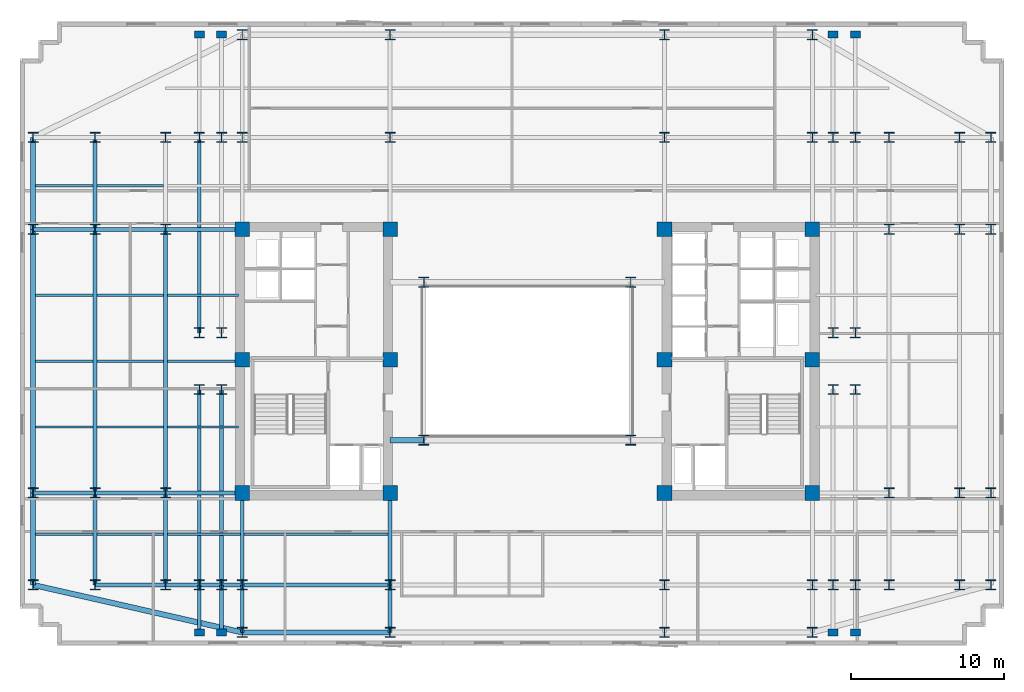
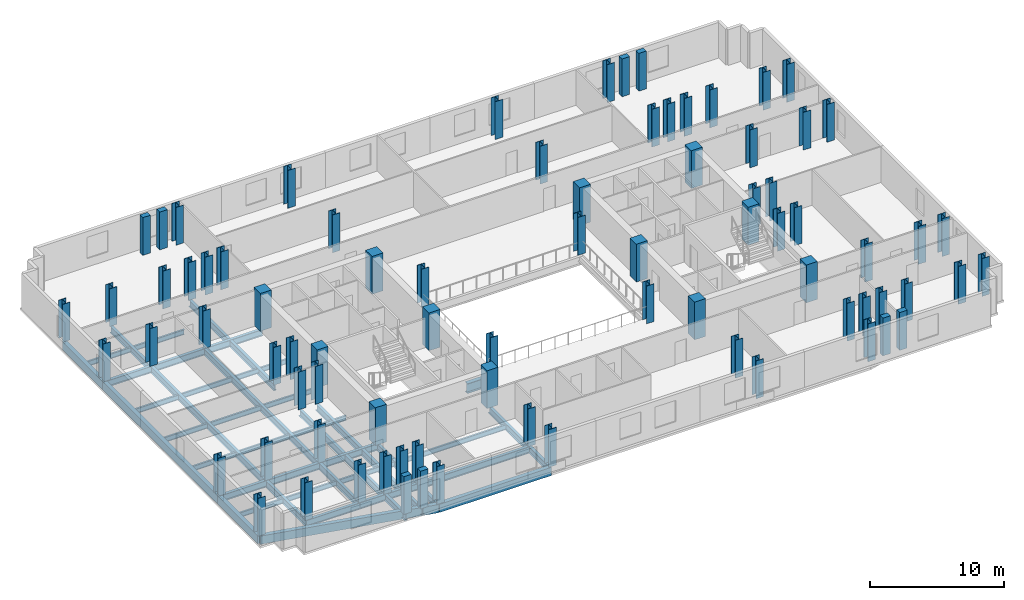
# One storey, part 1 of 10: 80 columns, 44 beams.
"""IFC4 building model written with IfcOpenShell, lengths in metres."""

import ifcopenshell
import ifcopenshell.guid

model = None  # the IFC model being written
_history = None  # IfcOwnerHistory: only IFC2X3 demands one
_inside = {}  # id of a spatial element -> (the spatial element, [elements in it])
_under = {}  # id of a project, library or spatial element -> (it, [spatial elements below it])
_declared = {}  # id of a project -> (the project, [libraries it declares])
_typed = {}  # id of a type object -> (the type object, [elements of that type])
_made_of = {}  # id of a material, layer set ... -> (it, [elements and type objects made of it])


def new_model(schema):
    """Start an empty IFC model of exactly this schema.

    Asked for "IFC4X3", IfcOpenShell would pick the latest addendum, in which some entities
    have other attributes; the version numbers below select the first issue.
    IFC2X3 requires an IfcOwnerHistory on every rooted entity: one is made here for all.
    """
    global model, _history
    if schema == "IFC4X3":
        model = ifcopenshell.file(schema_version=(4, 3, 0, 0))
    else:
        model = ifcopenshell.file(schema=schema)
    _inside.clear()
    _under.clear()
    _declared.clear()
    _typed.clear()
    _made_of.clear()
    _history = None
    if model.schema == "IFC2X3":
        org = make("IfcOrganization", Name="unknown")
        user = make(
            "IfcPersonAndOrganization",
            ThePerson=make("IfcPerson", FamilyName="unknown"),
            TheOrganization=org,
        )
        app = make(
            "IfcApplication",
            ApplicationDeveloper=org,
            Version="unknown",
            ApplicationFullName="unknown",
            ApplicationIdentifier="unknown",
        )
        _history = make(
            "IfcOwnerHistory",
            OwningUser=user,
            OwningApplication=app,
            ChangeAction="ADDED",
            CreationDate=0,
        )
    return model


def make(cls, **values):
    """One entity of the class cls with the attributes given. An attribute that is None is left unset."""
    return model.create_entity(
        cls, **{name: value for name, value in values.items() if value is not None}
    )


def rooted(cls, **values):
    """An entity with a GlobalId (a new one), such as an element, a storey or a relation."""
    return make(cls, GlobalId=ifcopenshell.guid.new(), OwnerHistory=_history, **values)


def si_unit(unit_type, name, prefix=None):
    """IfcSIUnit, for example si_unit("LENGTHUNIT", "METRE", prefix="MILLI")."""
    return make("IfcSIUnit", UnitType=unit_type, Prefix=prefix, Name=name)


def assignment(units):
    """IfcUnitAssignment: the units of a project."""
    return None if units is None else make("IfcUnitAssignment", Units=units)


def point(xyz):
    """IfcCartesianPoint."""
    return None if xyz is None else make("IfcCartesianPoint", Coordinates=xyz)


def direction(xyz):
    """IfcDirection."""
    return None if xyz is None else make("IfcDirection", DirectionRatios=xyz)


def frame(location, z_axis=None, x_axis=None):
    """IfcAxis2Placement3D, a coordinate frame: its origin and axes. An axis left out is left unset."""
    return make(
        "IfcAxis2Placement3D",
        Location=point(location),
        Axis=direction(z_axis),
        RefDirection=direction(x_axis),
    )


def frame_2d(location, x_axis=None):
    """IfcAxis2Placement2D, a coordinate frame in the plane: its origin and x axis."""
    return make(
        "IfcAxis2Placement2D", Location=point(location), RefDirection=direction(x_axis)
    )


def origin():
    """The frame at (0, 0, 0) with its axes left unset."""
    return frame((0.0, 0.0, 0.0))


def origin_2d():
    """The frame at (0, 0) in the plane with its x axis left unset."""
    return frame_2d((0.0, 0.0))


def place(relative_to, where):
    """IfcLocalPlacement: puts the frame where relative to a parent placement (None: the world)."""
    return make(
        "IfcLocalPlacement", PlacementRelTo=relative_to, RelativePlacement=where
    )


def context(
    kind, dimensions, precision=None, world=None, true_north=None, identifier=None
):
    """IfcGeometricRepresentationContext, for example the 3D "Model" context."""
    return make(
        "IfcGeometricRepresentationContext",
        ContextIdentifier=identifier,
        ContextType=kind,
        CoordinateSpaceDimension=dimensions,
        Precision=precision,
        WorldCoordinateSystem=world,
        TrueNorth=true_north,
    )


def subcontext(parent, identifier, kind, view, scale=None):
    """IfcGeometricRepresentationSubContext, for example "Body" below "Model"."""
    return make(
        "IfcGeometricRepresentationSubContext",
        ContextIdentifier=identifier,
        ContextType=kind,
        ParentContext=parent,
        TargetScale=scale,
        TargetView=view,
    )


def project(units=None, contexts=None):
    """IfcProject with its units and contexts."""
    return rooted(
        "IfcProject",
        Name="project",
        RepresentationContexts=contexts,
        UnitsInContext=assignment(units),
    )


def spatial(cls, under=None, at=None, **own):
    """A site, building, storey or space (cls), placed at a placement, below another one or the project."""
    s = rooted(cls, ObjectPlacement=at, **own)
    if under is not None:
        _under.setdefault(under.id(), (under, []))[1].append(s)
    return s


def profile(cls, at=None, kind="AREA", **sizes):
    """A parametric profile (cls). Its sizes go by their IFC names, for example OverallWidth=200.0."""
    return make(cls, ProfileType=kind, Position=at, **sizes)


def rectangle(**sizes):
    """IfcRectangleProfileDef."""
    return profile("IfcRectangleProfileDef", **sizes)


def i_section(**sizes):
    """IfcIShapeProfileDef."""
    return profile("IfcIShapeProfileDef", **sizes)


def extrude(swept, where, along, depth):
    """IfcExtrudedAreaSolid: the profile swept, set in the frame where, extruded along a direction by depth."""
    return make(
        "IfcExtrudedAreaSolid",
        SweptArea=swept,
        Position=where,
        ExtrudedDirection=direction(along),
        Depth=depth,
    )


def shape(context_of_items, identifier, shape_type, items):
    """IfcShapeRepresentation: the items that make up one representation, for example the "Body"."""
    return make(
        "IfcShapeRepresentation",
        ContextOfItems=context_of_items,
        RepresentationIdentifier=identifier,
        RepresentationType=shape_type,
        Items=items,
    )


def material(Name=None, Category=None):
    """IfcMaterial."""
    return make("IfcMaterial", Name=Name, Category=Category)


def material_profile(
    of_material, cross_section, Name=None, Category=None, Priority=None
):
    """IfcMaterialProfile: a cross section and its material."""
    return make(
        "IfcMaterialProfile",
        Name=Name,
        Material=of_material,
        Profile=cross_section,
        Priority=Priority,
        Category=Category,
    )


def profile_set(profiles, Name=None, composite=None):
    """IfcMaterialProfileSet."""
    return make(
        "IfcMaterialProfileSet",
        Name=Name,
        MaterialProfiles=profiles,
        CompositeProfile=composite,
    )


def made_of(thing, what):
    """Note that an element or type object is made of a material, layer set ...; save() writes the relation."""
    if what is not None:
        _made_of.setdefault(what.id(), (what, []))[1].append(thing)
    return thing


def type_object(cls, material=None, **own):
    """A type object (cls), such as IfcWallType, which elements share."""
    return made_of(rooted(cls, **own), material)


def element(
    cls,
    number,
    at=None,
    inside=None,
    cuts=None,
    type_object=None,
    material=None,
    context=None,
    identifier="Body",
    shape_type=None,
    held_by="IfcProductDefinitionShape",
    body=None,
    shapes=None,
    **own,
):
    """One element of the class cls, such as IfcWall. Its Tag is "e" and its number.

    at: its placement. inside: the storey or other place that contains it. cuts: it is an
    opening in that element (IfcRelVoidsElement). A single representation is given by context,
    identifier, shape_type and body (its items); several are given by shapes. held_by: the class
    of the entity that holds the representations. save() writes the other relations.
    """
    e = rooted(cls, Tag="e%d" % number, ObjectPlacement=at, **own)
    if body is not None:
        shapes = [shape(context, identifier, shape_type, body)]
    if shapes is not None:
        e.Representation = make(held_by, Representations=shapes)
    if inside is not None:
        _inside.setdefault(inside.id(), (inside, []))[1].append(e)
    if cuts is not None:
        rooted(
            "IfcRelVoidsElement", RelatingBuildingElement=cuts, RelatedOpeningElement=e
        )
    if type_object is not None:
        _typed.setdefault(type_object.id(), (type_object, []))[1].append(e)
    return made_of(e, material)


def aggregate(whole, parts):
    """IfcRelAggregates: a whole, such as a stair, and the parts it consists of."""
    return rooted("IfcRelAggregates", RelatingObject=whole, RelatedObjects=parts)


def save(model, path):
    """Write the relations noted so far, then the file.

    IfcRelAggregates (storeys below a building ...), IfcRelContainedInSpatialStructure (elements
    in a storey), IfcRelDefinesByType, IfcRelAssociatesMaterial and IfcRelDeclares: one each for
    every whole, place, type object, material and project.
    """
    for whole, parts in _under.values():
        aggregate(whole, parts)
    for where, things in _inside.values():
        rooted(
            "IfcRelContainedInSpatialStructure",
            RelatedElements=things,
            RelatingStructure=where,
        )
    for kind, things in _typed.values():
        rooted("IfcRelDefinesByType", RelatedObjects=things, RelatingType=kind)
    for what, things in _made_of.values():
        rooted("IfcRelAssociatesMaterial", RelatedObjects=things, RelatingMaterial=what)
    for by, libraries in _declared.values():
        rooted("IfcRelDeclares", RelatingContext=by, RelatedDefinitions=libraries)
    model.write(path)


model = new_model("IFC4")

# Units and contexts
model_context = context("Model", 3, precision=1e-05, world=origin(), true_north=direction((0.0, 1.0)))
body_context = subcontext(model_context, "Body", "Model", "MODEL_VIEW")
ifc_project = project(units=[si_unit("LENGTHUNIT", "METRE"), si_unit("AREAUNIT", "SQUARE_METRE"), si_unit("VOLUMEUNIT", "CUBIC_METRE"), si_unit("PLANEANGLEUNIT", "RADIAN"), si_unit("MASSUNIT", "GRAM", prefix="KILO")], contexts=[model_context])

# Site, building, storey
site_placement = place(None, origin())
site = spatial("IfcSite", under=ifc_project, at=site_placement, CompositionType="ELEMENT")
building_placement = place(site_placement, origin())
building = spatial("IfcBuilding", under=site, at=building_placement, Name="Velakula Bourse", CompositionType="ELEMENT")
storey_placement = place(building_placement, frame((0.0, 0.0, 141.550048828125)))
storey = spatial("IfcBuildingStorey", under=building, at=storey_placement, Name="L38", CompositionType="ELEMENT", Elevation=141.550048828125)

# Columns
ifc_material_1 = material(Name="Concrete M70 (fck 70 MPa)", Category="concrete")
ifc_material_profile_1 = material_profile(ifc_material_1, rectangle(XDim=0.949951171875, YDim=0.949951171875, at=origin_2d()), Name="Concrete M70 (fck 70 MPa)")
ifc_profile_set_1 = profile_set([ifc_material_profile_1], Name="Concrete M70 (fck 70 MPa)")
column_type_1 = type_object("IfcColumnType", Name="COL-RC-950", PredefinedType="COLUMN", material=ifc_profile_set_1)
for number, where, z_axis, x_axis, name in (
    (1, (-8.949951171875, -8.60009765625, 0.0), (0.0, 0.0, 1.0), (1.0, 0.0, 0.0), "L38 Core Boundary Column 01"),
    (2, (-8.949951171875, 0.10009765625, 0.0), (0.0, 0.0, 1.0), (1.0, 0.0, 0.0), "L38 Core Boundary Column 02"),
    (3, (-8.949951171875, 8.60009765625, 0.0), (0.0, 0.0, 1.0), (1.0, 0.0, 0.0), "L38 Core Boundary Column 03"),
    (4, (-18.60009765625, -8.60009765625, 0.0), (0.0, 0.0, 1.0), (1.0, 0.0, 0.0), "L38 Core Boundary Column 04"),
    (5, (-18.60009765625, 0.10009765625, 0.0), (0.0, 0.0, 1.0), (1.0, 0.0, 0.0), "L38 Core Boundary Column 05"),
    (6, (-18.60009765625, 8.60009765625, 0.0), (0.0, 0.0, 1.0), (1.0, 0.0, 0.0), "L38 Core Boundary Column 06"),
    (7, (8.949951171875, -8.60009765625, 0.0), (0.0, 0.0, 1.0), (1.0, 0.0, 0.0), "L38 Core Boundary Column 07"),
    (8, (8.949951171875, 0.10009765625, 0.0), (0.0, 0.0, 1.0), (1.0, 0.0, 0.0), "L38 Core Boundary Column 08"),
    (9, (8.949951171875, 8.60009765625, 0.0), (0.0, 0.0, 1.0), (1.0, 0.0, 0.0), "L38 Core Boundary Column 09"),
    (10, (18.60009765625, -8.60009765625, 0.0), (0.0, 0.0, 1.0), (1.0, 0.0, 0.0), "L38 Core Boundary Column 10"),
    (11, (18.60009765625, 0.10009765625, 0.0), (0.0, 0.0, 1.0), (1.0, 0.0, 0.0), "L38 Core Boundary Column 11"),
    (12, (18.60009765625, 8.60009765625, 0.0), (0.0, 0.0, 1.0), (1.0, 0.0, 0.0), "L38 Core Boundary Column 12"),
):
    element("IfcColumn", number, at=place(storey_placement, frame(where, z_axis=z_axis, x_axis=x_axis)), inside=storey, type_object=column_type_1, Name=name, PredefinedType="COLUMN", context=body_context, shape_type="SweptSolid", body=[
        extrude(rectangle(XDim=0.949951171875, YDim=0.949951171875, at=origin_2d()), origin(), (0.0, 0.0, 1.0), 3.449951171875),
    ])
ifc_material_2 = material(Name="Steel IS 2062 Grade 350 (E350)", Category="steel")
ifc_material_profile_2 = material_profile(ifc_material_2, i_section(OverallWidth=0.64990234375, OverallDepth=0.64990234375, WebThickness=0.028076171875, FlangeThickness=0.0400390625, at=origin_2d()), Name="Steel IS 2062 Grade 350 (E350)")
ifc_profile_set_2 = profile_set([ifc_material_profile_2], Name="Steel IS 2062 Grade 350 (E350)")
column_type_2 = type_object("IfcColumnType", Name="COL-STL-650", PredefinedType="COLUMN", material=ifc_profile_set_2)
for number, where, z_axis, x_axis, name in (
    (13, (-6.75, -5.14990234375, 0.0), (0.0, 0.0, 1.0), (1.0, 0.0, 0.0), "L38 Central Spine Column 01"),
    (14, (-6.75, 5.14990234375, 0.0), (0.0, 0.0, 1.0), (1.0, 0.0, 0.0), "L38 Central Spine Column 02"),
    (15, (6.75, -5.14990234375, 0.0), (0.0, 0.0, 1.0), (1.0, 0.0, 0.0), "L38 Central Spine Column 03"),
    (16, (6.75, 5.14990234375, 0.0), (0.0, 0.0, 1.0), (1.0, 0.0, 0.0), "L38 Central Spine Column 04"),
    (17, (-21.39990234375, -14.60009765625, 0.0), (0.0, 0.0, 1.0), (1.0, 0.0, 0.0), "L38 Tower Fulcrum Column 01"),
    (18, (-21.39990234375, 14.60009765625, 0.0), (0.0, 0.0, 1.0), (1.0, 0.0, 0.0), "L38 Tower Fulcrum Column 02"),
    (19, (-19.949951171875, -14.60009765625, 0.0), (0.0, 0.0, 1.0), (1.0, 0.0, 0.0), "L38 Tower Fulcrum Column 03"),
    (20, (-19.949951171875, 14.60009765625, 0.0), (0.0, 0.0, 1.0), (1.0, 0.0, 0.0), "L38 Tower Fulcrum Column 04"),
    (21, (-18.60009765625, -14.60009765625, 0.0), (0.0, 0.0, 1.0), (1.0, 0.0, 0.0), "L38 Tower Fulcrum Column 05"),
    (22, (-18.60009765625, 14.60009765625, 0.0), (0.0, 0.0, 1.0), (1.0, 0.0, 0.0), "L38 Tower Fulcrum Column 06"),
    (23, (-8.949951171875, -14.60009765625, 0.0), (0.0, 0.0, 1.0), (1.0, 0.0, 0.0), "L38 Tower Fulcrum Column 07"),
    (24, (-8.949951171875, 14.60009765625, 0.0), (0.0, 0.0, 1.0), (1.0, 0.0, 0.0), "L38 Tower Fulcrum Column 08"),
    (25, (8.949951171875, -14.60009765625, 0.0), (0.0, 0.0, 1.0), (1.0, 0.0, 0.0), "L38 Tower Fulcrum Column 09"),
    (26, (8.949951171875, 14.60009765625, 0.0), (0.0, 0.0, 1.0), (1.0, 0.0, 0.0), "L38 Tower Fulcrum Column 10"),
    (27, (18.60009765625, -14.60009765625, 0.0), (0.0, 0.0, 1.0), (1.0, 0.0, 0.0), "L38 Tower Fulcrum Column 11"),
    (28, (18.60009765625, 14.60009765625, 0.0), (0.0, 0.0, 1.0), (1.0, 0.0, 0.0), "L38 Tower Fulcrum Column 12"),
    (29, (19.949951171875, -14.60009765625, 0.0), (0.0, 0.0, 1.0), (1.0, 0.0, 0.0), "L38 Tower Fulcrum Column 13"),
    (30, (19.949951171875, 14.60009765625, 0.0), (0.0, 0.0, 1.0), (1.0, 0.0, 0.0), "L38 Tower Fulcrum Column 14"),
    (31, (21.39990234375, -14.60009765625, 0.0), (0.0, 0.0, 1.0), (1.0, 0.0, 0.0), "L38 Tower Fulcrum Column 15"),
    (32, (21.39990234375, 14.60009765625, 0.0), (0.0, 0.0, 1.0), (1.0, 0.0, 0.0), "L38 Tower Fulcrum Column 16"),
    (33, (-21.39990234375, -1.85009765625, 0.0), (0.0, 0.0, 1.0), (1.0, 0.0, 0.0), "L38 Tower Fulcrum Column 17"),
    (34, (-21.39990234375, 1.85009765625, 0.0), (0.0, 0.0, 1.0), (1.0, 0.0, 0.0), "L38 Tower Fulcrum Column 18"),
    (35, (-19.949951171875, -1.85009765625, 0.0), (0.0, 0.0, 1.0), (1.0, 0.0, 0.0), "L38 Tower Fulcrum Column 19"),
    (36, (-19.949951171875, 1.85009765625, 0.0), (0.0, 0.0, 1.0), (1.0, 0.0, 0.0), "L38 Tower Fulcrum Column 20"),
    (37, (19.949951171875, -1.85009765625, 0.0), (0.0, 0.0, 1.0), (1.0, 0.0, 0.0), "L38 Tower Fulcrum Column 21"),
    (38, (19.949951171875, 1.85009765625, 0.0), (0.0, 0.0, 1.0), (1.0, 0.0, 0.0), "L38 Tower Fulcrum Column 22"),
    (39, (21.39990234375, -1.85009765625, 0.0), (0.0, 0.0, 1.0), (1.0, 0.0, 0.0), "L38 Tower Fulcrum Column 23"),
    (40, (21.39990234375, 1.85009765625, 0.0), (0.0, 0.0, 1.0), (1.0, 0.0, 0.0), "L38 Tower Fulcrum Column 24"),
    (41, (-23.60009765625, -14.60009765625, 0.0), (0.0, 0.0, 1.0), (1.0, 0.0, 0.0), "L38 Mid-Wing Plumb Column 01"),
    (42, (-23.60009765625, -8.60009765625, 0.0), (0.0, 0.0, 1.0), (1.0, 0.0, 0.0), "L38 Mid-Wing Plumb Column 02"),
    (43, (-23.60009765625, 8.60009765625, 0.0), (0.0, 0.0, 1.0), (1.0, 0.0, 0.0), "L38 Mid-Wing Plumb Column 03"),
    (44, (-23.60009765625, 14.60009765625, 0.0), (0.0, 0.0, 1.0), (1.0, 0.0, 0.0), "L38 Mid-Wing Plumb Column 04"),
    (45, (23.60009765625, -14.60009765625, 0.0), (0.0, 0.0, 1.0), (1.0, 0.0, 0.0), "L38 Mid-Wing Plumb Column 05"),
    (46, (23.60009765625, -8.60009765625, 0.0), (0.0, 0.0, 1.0), (1.0, 0.0, 0.0), "L38 Mid-Wing Plumb Column 06"),
    (47, (23.60009765625, 8.60009765625, 0.0), (0.0, 0.0, 1.0), (1.0, 0.0, 0.0), "L38 Mid-Wing Plumb Column 07"),
    (48, (23.60009765625, 14.60009765625, 0.0), (0.0, 0.0, 1.0), (1.0, 0.0, 0.0), "L38 Mid-Wing Plumb Column 08"),
    (49, (-28.199951171875, -14.60009765625, 0.0), (0.0, 0.0, 1.0), (1.0, 0.0, 0.0), "L38 Lower Wing Column 01"),
    (50, (-28.199951171875, -8.60009765625, 0.0), (0.0, 0.0, 1.0), (1.0, 0.0, 0.0), "L38 Lower Wing Column 02"),
    (51, (-28.199951171875, 8.60009765625, 0.0), (0.0, 0.0, 1.0), (1.0, 0.0, 0.0), "L38 Lower Wing Column 03"),
    (52, (-28.199951171875, 14.60009765625, 0.0), (0.0, 0.0, 1.0), (1.0, 0.0, 0.0), "L38 Lower Wing Column 04"),
    (53, (28.199951171875, -14.60009765625, 0.0), (0.0, 0.0, 1.0), (1.0, 0.0, 0.0), "L38 Lower Wing Column 05"),
    (54, (28.199951171875, -8.60009765625, 0.0), (0.0, 0.0, 1.0), (1.0, 0.0, 0.0), "L38 Lower Wing Column 06"),
    (55, (28.199951171875, 8.60009765625, 0.0), (0.0, 0.0, 1.0), (1.0, 0.0, 0.0), "L38 Lower Wing Column 07"),
    (56, (28.199951171875, 14.60009765625, 0.0), (0.0, 0.0, 1.0), (1.0, 0.0, 0.0), "L38 Lower Wing Column 08"),
    (57, (-18.60009765625, -17.699951171875, 0.0), (0.0, 0.0, 1.0), (1.0, 0.0, 0.0), "L38 Block B3 Perimeter Column S1"),
    (58, (-8.949951171875, -17.699951171875, 0.0), (0.0, 0.0, 1.0), (1.0, 0.0, 0.0), "L38 Block B3 Perimeter Column S2"),
    (59, (8.949951171875, -17.699951171875, 0.0), (0.0, 0.0, 1.0), (1.0, 0.0, 0.0), "L38 Block B3 Perimeter Column S3"),
    (60, (18.60009765625, -17.699951171875, 0.0), (0.0, 0.0, 1.0), (1.0, 0.0, 0.0), "L38 Block B3 Perimeter Column S4"),
    (61, (-18.60009765625, 21.300048828125, 0.0), (0.0, 0.0, 1.0), (1.0, 0.0, 0.0), "L38 Block B3 Perimeter Column N1"),
    (62, (-8.949951171875, 21.300048828125, 0.0), (0.0, 0.0, 1.0), (1.0, 0.0, 0.0), "L38 Block B3 Perimeter Column N2"),
    (63, (8.949951171875, 21.300048828125, 0.0), (0.0, 0.0, 1.0), (1.0, 0.0, 0.0), "L38 Block B3 Perimeter Column N3"),
    (64, (18.60009765625, 21.300048828125, 0.0), (0.0, 0.0, 1.0), (1.0, 0.0, 0.0), "L38 Block B3 Perimeter Column N4"),
    (65, (-32.25, -14.60009765625, 0.0), (0.0, 0.0, 1.0), (1.0, 0.0, 0.0), "L38 Block B3 Perimeter Column W1"),
    (66, (-32.25, -8.60009765625, 0.0), (0.0, 0.0, 1.0), (1.0, 0.0, 0.0), "L38 Block B3 Perimeter Column W2"),
    (67, (-32.25, 8.60009765625, 0.0), (0.0, 0.0, 1.0), (1.0, 0.0, 0.0), "L38 Block B3 Perimeter Column W3"),
    (68, (-32.25, 14.60009765625, 0.0), (0.0, 0.0, 1.0), (1.0, 0.0, 0.0), "L38 Block B3 Perimeter Column W4"),
    (69, (30.25, -14.60009765625, 0.0), (0.0, 0.0, 1.0), (1.0, 0.0, 0.0), "L38 Block B3 Perimeter Column E1"),
    (70, (30.25, -8.60009765625, 0.0), (0.0, 0.0, 1.0), (1.0, 0.0, 0.0), "L38 Block B3 Perimeter Column E2"),
    (71, (30.25, 8.60009765625, 0.0), (0.0, 0.0, 1.0), (1.0, 0.0, 0.0), "L38 Block B3 Perimeter Column E3"),
    (72, (30.25, 14.60009765625, 0.0), (0.0, 0.0, 1.0), (1.0, 0.0, 0.0), "L38 Block B3 Perimeter Column E4"),
):
    element("IfcColumn", number, at=place(storey_placement, frame(where, z_axis=z_axis, x_axis=x_axis)), inside=storey, type_object=column_type_2, Name=name, PredefinedType="COLUMN", context=body_context, shape_type="SweptSolid", body=[
        extrude(i_section(OverallWidth=0.64990234375, OverallDepth=0.64990234375, WebThickness=0.028076171875, FlangeThickness=0.0400390625, at=origin_2d()), origin(), (0.0, 0.0, 1.0), 3.449951171875),
    ])
ifc_material_3 = material(Name="Precast concrete M45 (fck 45 MPa)", Category="concrete")
ifc_material_profile_3 = material_profile(ifc_material_3, rectangle(XDim=0.64990234375, YDim=0.449951171875, at=origin_2d()), Name="Precast concrete M45 (fck 45 MPa)")
ifc_profile_set_3 = profile_set([ifc_material_profile_3], Name="Precast concrete M45 (fck 45 MPa)")
column_type_3 = type_object("IfcColumnType", Name="PIL-BRICK-650", PredefinedType="PILASTER", material=ifc_profile_set_3)
for number, where, z_axis, x_axis, name in (
    (73, (-21.39990234375, -17.699951171875, 0.0), (0.0, 0.0, 1.0), (1.0, 0.0, 0.0), "L38 Brick Pier Pilaster 01"),
    (74, (-19.949951171875, -17.699951171875, 0.0), (0.0, 0.0, 1.0), (1.0, 0.0, 0.0), "L38 Brick Pier Pilaster 02"),
    (75, (19.949951171875, -17.699951171875, 0.0), (0.0, 0.0, 1.0), (1.0, 0.0, 0.0), "L38 Brick Pier Pilaster 03"),
    (76, (21.39990234375, -17.699951171875, 0.0), (0.0, 0.0, 1.0), (1.0, 0.0, 0.0), "L38 Brick Pier Pilaster 04"),
    (77, (-21.39990234375, 21.300048828125, 0.0), (0.0, 0.0, 1.0), (1.0, 0.0, 0.0), "L38 Brick Pier Pilaster 05"),
    (78, (-19.949951171875, 21.300048828125, 0.0), (0.0, 0.0, 1.0), (1.0, 0.0, 0.0), "L38 Brick Pier Pilaster 06"),
    (79, (19.949951171875, 21.300048828125, 0.0), (0.0, 0.0, 1.0), (1.0, 0.0, 0.0), "L38 Brick Pier Pilaster 07"),
    (80, (21.39990234375, 21.300048828125, 0.0), (0.0, 0.0, 1.0), (1.0, 0.0, 0.0), "L38 Brick Pier Pilaster 08"),
):
    element("IfcColumn", number, at=place(storey_placement, frame(where, z_axis=z_axis, x_axis=x_axis)), inside=storey, type_object=column_type_3, Name=name, PredefinedType="PILASTER", context=body_context, shape_type="SweptSolid", body=[
        extrude(rectangle(XDim=0.64990234375, YDim=0.449951171875, at=origin_2d()), origin(), (0.0, 0.0, 1.0), 3.449951171875),
    ])

# Beams
ifc_material_profile_4 = material_profile(ifc_material_2, i_section(OverallWidth=0.25, OverallDepth=0.60009765625, WebThickness=0.01123046875, FlangeThickness=0.021240234375, at=origin_2d()), Name="Steel IS 2062 Grade 350 (E350)")
ifc_profile_set_4 = profile_set([ifc_material_profile_4], Name="Steel IS 2062 Grade 350 (E350)")
beam_type_1 = type_object("IfcBeamType", Name="BM-GRD-600M", PredefinedType="BEAM", material=ifc_profile_set_4)
for number, where, z_axis, x_axis, name in (
    (81, (-18.60009765625, -14.60009765625, -0.47998046875), (0.0, 1.0, 0.0), (-1.0, 0.0, 0.0), "L38 Fulcrum Grid Girder FLC-WS"),
    (82, (-8.949951171875, -14.60009765625, -0.47998046875), (0.0, 1.0, 0.0), (-1.0, 0.0, 0.0), "L38 Fulcrum Grid Girder FLC-WCS"),
):
    element("IfcBeam", number, at=place(storey_placement, frame(where, z_axis=z_axis, x_axis=x_axis)), inside=storey, type_object=beam_type_1, Name=name, PredefinedType="BEAM", context=body_context, shape_type="SweptSolid", body=[
        extrude(i_section(OverallWidth=0.25, OverallDepth=0.60009765625, WebThickness=0.01123046875, FlangeThickness=0.021240234375, at=origin_2d()), origin(), (0.0, 0.0, 1.0), 6.0),
    ])
beam_1_placement = place(storey_placement, frame((-18.60009765625, -14.60009765625, -0.47998046875), z_axis=(1.0, 0.0, 0.0), x_axis=(0.0, 1.0, 0.0)))
element("IfcBeam", 83, at=beam_1_placement, inside=storey, type_object=beam_type_1, Name="L38 Fulcrum Grid Girder FLC-S1", PredefinedType="BEAM", context=body_context, shape_type="SweptSolid", body=[
    extrude(i_section(OverallWidth=0.25, OverallDepth=0.60009765625, WebThickness=0.01123046875, FlangeThickness=0.021240234375, at=origin_2d()), origin(), (0.0, 0.0, 1.0), 9.650146484375),
])
for number, where, z_axis, x_axis, name in (
    (84, (-21.39990234375, -14.60009765625, -0.47998046875), (0.0, 1.0, 0.0), (-1.0, 0.0, 0.0), "L38 Fulcrum Grid Girder FLC-PSW1"),
    (85, (-21.39990234375, 1.85009765625, -0.47998046875), (0.0, 1.0, 0.0), (-1.0, 0.0, 0.0), "L38 Fulcrum Grid Girder FLC-PNW1"),
    (86, (-19.949951171875, -14.60009765625, -0.47998046875), (0.0, 1.0, 0.0), (-1.0, 0.0, 0.0), "L38 Fulcrum Grid Girder FLC-PSW2"),
):
    element("IfcBeam", number, at=place(storey_placement, frame(where, z_axis=z_axis, x_axis=x_axis)), inside=storey, type_object=beam_type_1, Name=name, PredefinedType="BEAM", context=body_context, shape_type="SweptSolid", body=[
        extrude(i_section(OverallWidth=0.25, OverallDepth=0.60009765625, WebThickness=0.01123046875, FlangeThickness=0.021240234375, at=origin_2d()), origin(), (0.0, 0.0, 1.0), 12.75),
    ])
for number, where, z_axis, x_axis, name in (
    (87, (-23.60009765625, -14.60009765625, -0.47998046875), (1.0, 0.0, 0.0), (0.0, 1.0, 0.0), "L38 Fulcrum Grid Girder MWG-WS1"),
    (88, (-23.60009765625, -8.60009765625, -0.47998046875), (1.0, 0.0, 0.0), (0.0, 1.0, 0.0), "L38 Fulcrum Grid Girder MWG-WS2"),
    (89, (-23.60009765625, 8.60009765625, -0.47998046875), (1.0, 0.0, 0.0), (0.0, 1.0, 0.0), "L38 Fulcrum Grid Girder MWG-WN1"),
):
    element("IfcBeam", number, at=place(storey_placement, frame(where, z_axis=z_axis, x_axis=x_axis)), inside=storey, type_object=beam_type_1, Name=name, PredefinedType="BEAM", context=body_context, shape_type="SweptSolid", body=[
        extrude(i_section(OverallWidth=0.25, OverallDepth=0.60009765625, WebThickness=0.01123046875, FlangeThickness=0.021240234375, at=origin_2d()), origin(), (0.0, 0.0, 1.0), 5.0),
    ])
beam_2_placement = place(storey_placement, frame((-23.60009765625, -14.60009765625, -0.47998046875), z_axis=(0.0, 1.0, 0.0), x_axis=(-1.0, 0.0, 0.0)))
element("IfcBeam", 90, at=beam_2_placement, inside=storey, type_object=beam_type_1, Name="L38 Fulcrum Grid Girder MWG-WNS1", PredefinedType="BEAM", context=body_context, shape_type="SweptSolid", body=[
    extrude(i_section(OverallWidth=0.25, OverallDepth=0.60009765625, WebThickness=0.01123046875, FlangeThickness=0.021240234375, at=origin_2d()), origin(), (0.0, 0.0, 1.0), 6.0),
])
beam_3_placement = place(storey_placement, frame((-23.60009765625, -8.60009765625, -0.47998046875), z_axis=(0.0, 1.0, 0.0), x_axis=(-1.0, 0.0, 0.0)))
element("IfcBeam", 91, at=beam_3_placement, inside=storey, type_object=beam_type_1, Name="L38 Fulcrum Grid Girder MWG-WNS2", PredefinedType="BEAM", context=body_context, shape_type="SweptSolid", body=[
    extrude(i_section(OverallWidth=0.25, OverallDepth=0.60009765625, WebThickness=0.01123046875, FlangeThickness=0.021240234375, at=origin_2d()), origin(), (0.0, 0.0, 1.0), 17.2001953125),
])
for number, where, z_axis, x_axis, name in (
    (92, (-28.199951171875, -14.60009765625, -0.47998046875), (1.0, 0.0, 0.0), (0.0, 1.0, 0.0), "L38 Fulcrum Grid Girder WNG-WS1"),
    (93, (-28.199951171875, -8.60009765625, -0.47998046875), (1.0, 0.0, 0.0), (0.0, 1.0, 0.0), "L38 Fulcrum Grid Girder WNG-WS2"),
    (94, (-28.199951171875, 8.60009765625, -0.47998046875), (1.0, 0.0, 0.0), (0.0, 1.0, 0.0), "L38 Fulcrum Grid Girder WNG-WN1"),
):
    element("IfcBeam", number, at=place(storey_placement, frame(where, z_axis=z_axis, x_axis=x_axis)), inside=storey, type_object=beam_type_1, Name=name, PredefinedType="BEAM", context=body_context, shape_type="SweptSolid", body=[
        extrude(i_section(OverallWidth=0.25, OverallDepth=0.60009765625, WebThickness=0.01123046875, FlangeThickness=0.021240234375, at=origin_2d()), origin(), (0.0, 0.0, 1.0), 4.599853515625),
    ])
beam_4_placement = place(storey_placement, frame((-28.199951171875, -14.60009765625, -0.47998046875), z_axis=(0.0, 1.0, 0.0), x_axis=(-1.0, 0.0, 0.0)))
element("IfcBeam", 95, at=beam_4_placement, inside=storey, type_object=beam_type_1, Name="L38 Fulcrum Grid Girder WNG-WNS1", PredefinedType="BEAM", context=body_context, shape_type="SweptSolid", body=[
    extrude(i_section(OverallWidth=0.25, OverallDepth=0.60009765625, WebThickness=0.01123046875, FlangeThickness=0.021240234375, at=origin_2d()), origin(), (0.0, 0.0, 1.0), 6.0),
])
beam_5_placement = place(storey_placement, frame((-28.199951171875, -8.60009765625, -0.47998046875), z_axis=(0.0, 1.0, 0.0), x_axis=(-1.0, 0.0, 0.0)))
element("IfcBeam", 96, at=beam_5_placement, inside=storey, type_object=beam_type_1, Name="L38 Fulcrum Grid Girder WNG-WNS2", PredefinedType="BEAM", context=body_context, shape_type="SweptSolid", body=[
    extrude(i_section(OverallWidth=0.25, OverallDepth=0.60009765625, WebThickness=0.01123046875, FlangeThickness=0.021240234375, at=origin_2d()), origin(), (0.0, 0.0, 1.0), 17.2001953125),
])
beam_6_placement = place(storey_placement, frame((-28.199951171875, 8.60009765625, -0.47998046875), z_axis=(0.0, 1.0, 0.0), x_axis=(-1.0, 0.0, 0.0)))
element("IfcBeam", 97, at=beam_6_placement, inside=storey, type_object=beam_type_1, Name="L38 Fulcrum Grid Girder WNG-WNS3", PredefinedType="BEAM", context=body_context, shape_type="SweptSolid", body=[
    extrude(i_section(OverallWidth=0.25, OverallDepth=0.60009765625, WebThickness=0.01123046875, FlangeThickness=0.021240234375, at=origin_2d()), origin(), (0.0, 0.0, 1.0), 6.0),
])
for number, where, z_axis, x_axis, name in (
    (98, (-18.60009765625, -14.60009765625, -0.47998046875), (0.0, -1.0, 0.0), (1.0, 0.0, 0.0), "L38 Perimeter Tie Girder S1"),
    (99, (-8.949951171875, -14.60009765625, -0.47998046875), (0.0, -1.0, 0.0), (1.0, 0.0, 0.0), "L38 Perimeter Tie Girder S2"),
):
    element("IfcBeam", number, at=place(storey_placement, frame(where, z_axis=z_axis, x_axis=x_axis)), inside=storey, type_object=beam_type_1, Name=name, PredefinedType="BEAM", context=body_context, shape_type="SweptSolid", body=[
        extrude(i_section(OverallWidth=0.25, OverallDepth=0.60009765625, WebThickness=0.01123046875, FlangeThickness=0.021240234375, at=origin_2d()), origin(), (0.0, 0.0, 1.0), 3.099853515625),
    ])
for number, where, z_axis, x_axis, name in (
    (100, (-28.199951171875, -8.60009765625, -0.47998046875), (-1.0, 0.0, 0.0), (0.0, -1.0, 0.0), "L38 Perimeter Tie Girder W2"),
    (101, (-28.199951171875, 8.60009765625, -0.47998046875), (-1.0, 0.0, 0.0), (0.0, -1.0, 0.0), "L38 Perimeter Tie Girder W3"),
):
    element("IfcBeam", number, at=place(storey_placement, frame(where, z_axis=z_axis, x_axis=x_axis)), inside=storey, type_object=beam_type_1, Name=name, PredefinedType="BEAM", context=body_context, shape_type="SweptSolid", body=[
        extrude(i_section(OverallWidth=0.25, OverallDepth=0.60009765625, WebThickness=0.01123046875, FlangeThickness=0.021240234375, at=origin_2d()), origin(), (0.0, 0.0, 1.0), 4.050048828125),
    ])
for number, where, z_axis, x_axis, name in (
    (102, (-21.39990234375, -14.60009765625, -0.47998046875), (0.0, -1.0, 0.0), (1.0, 0.0, 0.0), "L38 Perimeter Tie Girder P01"),
    (103, (-19.949951171875, -14.60009765625, -0.47998046875), (0.0, -1.0, 0.0), (1.0, 0.0, 0.0), "L38 Perimeter Tie Girder P02"),
):
    element("IfcBeam", number, at=place(storey_placement, frame(where, z_axis=z_axis, x_axis=x_axis)), inside=storey, type_object=beam_type_1, Name=name, PredefinedType="BEAM", context=body_context, shape_type="SweptSolid", body=[
        extrude(i_section(OverallWidth=0.25, OverallDepth=0.60009765625, WebThickness=0.01123046875, FlangeThickness=0.021240234375, at=origin_2d()), origin(), (0.0, 0.0, 1.0), 3.099853515625),
    ])
ifc_material_profile_5 = material_profile(ifc_material_2, i_section(OverallWidth=0.35009765625, OverallDepth=0.89990234375, WebThickness=0.02001953125, FlangeThickness=0.031982421875, at=origin_2d()), Name="Steel IS 2062 Grade 350 (E350)")
ifc_profile_set_5 = profile_set([ifc_material_profile_5], Name="Steel IS 2062 Grade 350 (E350)")
beam_type_2 = type_object("IfcBeamType", Name="BM-LNK-900", PredefinedType="BEAM", material=ifc_profile_set_5)
beam_7_placement = place(storey_placement, frame((-8.949951171875, -5.14990234375, -0.630126953125), z_axis=(1.0, 0.0, 0.0), x_axis=(0.0, 1.0, 0.0)))
element("IfcBeam", 104, at=beam_7_placement, inside=storey, type_object=beam_type_2, Name="L38 Primary Backbone Girder LNK-S1", PredefinedType="BEAM", context=body_context, shape_type="SweptSolid", body=[
    extrude(i_section(OverallWidth=0.35009765625, OverallDepth=0.89990234375, WebThickness=0.02001953125, FlangeThickness=0.031982421875, at=origin_2d()), origin(), (0.0, 0.0, 1.0), 2.199951171875),
])
ifc_material_profile_6 = material_profile(ifc_material_2, i_section(OverallWidth=0.14990234375, OverallDepth=0.449951171875, WebThickness=0.009521484375, FlangeThickness=0.017333984375, at=origin_2d()), Name="Steel IS 2062 Grade 350 (E350)")
ifc_profile_set_6 = profile_set([ifc_material_profile_6], Name="Steel IS 2062 Grade 350 (E350)")
beam_type_3 = type_object("IfcBeamType", Name="JST-TWR-450", PredefinedType="JOIST", material=ifc_profile_set_6)
beam_8_placement = place(storey_placement, frame((-32.074951171875, -11.300048828125, -0.405029296875), z_axis=(1.0, 0.0, 0.0), x_axis=(0.0, 1.0, 0.0)))
element("IfcBeam", 105, at=beam_8_placement, inside=storey, type_object=beam_type_3, Name="L38 Trading Floor Composite Joist 01", PredefinedType="JOIST", context=body_context, shape_type="SweptSolid", body=[
    extrude(i_section(OverallWidth=0.14990234375, OverallDepth=0.449951171875, WebThickness=0.009521484375, FlangeThickness=0.017333984375, at=origin_2d()), origin(), (0.0, 0.0, 1.0), 3.75),
])
beam_9_placement = place(storey_placement, frame((-28.074951171875, -11.300048828125, -0.405029296875), z_axis=(1.0, 0.0, 0.0), x_axis=(0.0, 1.0, 0.0)))
element("IfcBeam", 106, at=beam_9_placement, inside=storey, type_object=beam_type_3, Name="L38 Trading Floor Composite Joist 02", PredefinedType="JOIST", context=body_context, shape_type="SweptSolid", body=[
    extrude(i_section(OverallWidth=0.14990234375, OverallDepth=0.449951171875, WebThickness=0.009521484375, FlangeThickness=0.017333984375, at=origin_2d()), origin(), (0.0, 0.0, 1.0), 4.349853515625),
])
beam_10_placement = place(storey_placement, frame((-23.47509765625, -11.300048828125, -0.405029296875), z_axis=(1.0, 0.0, 0.0), x_axis=(0.0, 1.0, 0.0)))
element("IfcBeam", 107, at=beam_10_placement, inside=storey, type_object=beam_type_3, Name="L38 Trading Floor Composite Joist 03", PredefinedType="JOIST", context=body_context, shape_type="SweptSolid", body=[
    extrude(i_section(OverallWidth=0.14990234375, OverallDepth=0.449951171875, WebThickness=0.009521484375, FlangeThickness=0.017333984375, at=origin_2d()), origin(), (0.0, 0.0, 1.0), 4.75),
])
beam_11_placement = place(storey_placement, frame((-18.47509765625, -11.300048828125, -0.405029296875), z_axis=(1.0, 0.0, 0.0), x_axis=(0.0, 1.0, 0.0)))
element("IfcBeam", 108, at=beam_11_placement, inside=storey, type_object=beam_type_3, Name="L38 Trading Floor Composite Joist 04", PredefinedType="JOIST", context=body_context, shape_type="SweptSolid", body=[
    extrude(i_section(OverallWidth=0.14990234375, OverallDepth=0.449951171875, WebThickness=0.009521484375, FlangeThickness=0.017333984375, at=origin_2d()), origin(), (0.0, 0.0, 1.0), 9.400146484375),
])
beam_12_placement = place(storey_placement, frame((-32.074951171875, 11.449951171875, -0.405029296875), z_axis=(1.0, 0.0, 0.0), x_axis=(0.0, 1.0, 0.0)))
element("IfcBeam", 109, at=beam_12_placement, inside=storey, type_object=beam_type_3, Name="L38 Trading Floor Composite Joist 09", PredefinedType="JOIST", context=body_context, shape_type="SweptSolid", body=[
    extrude(i_section(OverallWidth=0.14990234375, OverallDepth=0.449951171875, WebThickness=0.009521484375, FlangeThickness=0.017333984375, at=origin_2d()), origin(), (0.0, 0.0, 1.0), 3.75),
])
beam_13_placement = place(storey_placement, frame((-28.074951171875, 11.449951171875, -0.405029296875), z_axis=(1.0, 0.0, 0.0), x_axis=(0.0, 1.0, 0.0)))
element("IfcBeam", 110, at=beam_13_placement, inside=storey, type_object=beam_type_3, Name="L38 Trading Floor Composite Joist 10", PredefinedType="JOIST", context=body_context, shape_type="SweptSolid", body=[
    extrude(i_section(OverallWidth=0.14990234375, OverallDepth=0.449951171875, WebThickness=0.009521484375, FlangeThickness=0.017333984375, at=origin_2d()), origin(), (0.0, 0.0, 1.0), 4.349853515625),
])
beam_14_placement = place(storey_placement, frame((-32.074951171875, -4.300048828125, -0.405029296875), z_axis=(1.0, 0.0, 0.0), x_axis=(0.0, 1.0, 0.0)))
element("IfcBeam", 111, at=beam_14_placement, inside=storey, type_object=beam_type_3, Name="L38 Trading Floor Composite Joist 25", PredefinedType="JOIST", context=body_context, shape_type="SweptSolid", body=[
    extrude(i_section(OverallWidth=0.14990234375, OverallDepth=0.449951171875, WebThickness=0.009521484375, FlangeThickness=0.017333984375, at=origin_2d()), origin(), (0.0, 0.0, 1.0), 3.75),
])
beam_15_placement = place(storey_placement, frame((-28.074951171875, -4.300048828125, -0.405029296875), z_axis=(1.0, 0.0, 0.0), x_axis=(0.0, 1.0, 0.0)))
element("IfcBeam", 112, at=beam_15_placement, inside=storey, type_object=beam_type_3, Name="L38 Trading Floor Composite Joist 26", PredefinedType="JOIST", context=body_context, shape_type="SweptSolid", body=[
    extrude(i_section(OverallWidth=0.14990234375, OverallDepth=0.449951171875, WebThickness=0.009521484375, FlangeThickness=0.017333984375, at=origin_2d()), origin(), (0.0, 0.0, 1.0), 4.349853515625),
])
beam_16_placement = place(storey_placement, frame((-23.47509765625, -4.300048828125, -0.405029296875), z_axis=(1.0, 0.0, 0.0), x_axis=(0.0, 1.0, 0.0)))
element("IfcBeam", 113, at=beam_16_placement, inside=storey, type_object=beam_type_3, Name="L38 Trading Floor Composite Joist 27", PredefinedType="JOIST", context=body_context, shape_type="SweptSolid", body=[
    extrude(i_section(OverallWidth=0.14990234375, OverallDepth=0.449951171875, WebThickness=0.009521484375, FlangeThickness=0.017333984375, at=origin_2d()), origin(), (0.0, 0.0, 1.0), 4.625),
])
beam_17_placement = place(storey_placement, frame((-32.074951171875, 0.0, -0.405029296875), z_axis=(1.0, 0.0, 0.0), x_axis=(0.0, 1.0, 0.0)))
element("IfcBeam", 114, at=beam_17_placement, inside=storey, type_object=beam_type_3, Name="L38 Trading Floor Composite Joist 30", PredefinedType="JOIST", context=body_context, shape_type="SweptSolid", body=[
    extrude(i_section(OverallWidth=0.14990234375, OverallDepth=0.449951171875, WebThickness=0.009521484375, FlangeThickness=0.017333984375, at=origin_2d()), origin(), (0.0, 0.0, 1.0), 3.75),
])
beam_18_placement = place(storey_placement, frame((-28.074951171875, 0.0, -0.405029296875), z_axis=(1.0, 0.0, 0.0), x_axis=(0.0, 1.0, 0.0)))
element("IfcBeam", 115, at=beam_18_placement, inside=storey, type_object=beam_type_3, Name="L38 Trading Floor Composite Joist 31", PredefinedType="JOIST", context=body_context, shape_type="SweptSolid", body=[
    extrude(i_section(OverallWidth=0.14990234375, OverallDepth=0.449951171875, WebThickness=0.009521484375, FlangeThickness=0.017333984375, at=origin_2d()), origin(), (0.0, 0.0, 1.0), 4.349853515625),
])
beam_19_placement = place(storey_placement, frame((-23.47509765625, 0.0, -0.405029296875), z_axis=(1.0, 0.0, 0.0), x_axis=(0.0, 1.0, 0.0)))
element("IfcBeam", 116, at=beam_19_placement, inside=storey, type_object=beam_type_3, Name="L38 Trading Floor Composite Joist 32", PredefinedType="JOIST", context=body_context, shape_type="SweptSolid", body=[
    extrude(i_section(OverallWidth=0.14990234375, OverallDepth=0.449951171875, WebThickness=0.009521484375, FlangeThickness=0.017333984375, at=origin_2d()), origin(), (0.0, 0.0, 1.0), 4.625),
])
beam_20_placement = place(storey_placement, frame((-32.074951171875, 4.300048828125, -0.405029296875), z_axis=(1.0, 0.0, 0.0), x_axis=(0.0, 1.0, 0.0)))
element("IfcBeam", 117, at=beam_20_placement, inside=storey, type_object=beam_type_3, Name="L38 Trading Floor Composite Joist 35", PredefinedType="JOIST", context=body_context, shape_type="SweptSolid", body=[
    extrude(i_section(OverallWidth=0.14990234375, OverallDepth=0.449951171875, WebThickness=0.009521484375, FlangeThickness=0.017333984375, at=origin_2d()), origin(), (0.0, 0.0, 1.0), 3.75),
])
beam_21_placement = place(storey_placement, frame((-28.074951171875, 4.300048828125, -0.405029296875), z_axis=(1.0, 0.0, 0.0), x_axis=(0.0, 1.0, 0.0)))
element("IfcBeam", 118, at=beam_21_placement, inside=storey, type_object=beam_type_3, Name="L38 Trading Floor Composite Joist 36", PredefinedType="JOIST", context=body_context, shape_type="SweptSolid", body=[
    extrude(i_section(OverallWidth=0.14990234375, OverallDepth=0.449951171875, WebThickness=0.009521484375, FlangeThickness=0.017333984375, at=origin_2d()), origin(), (0.0, 0.0, 1.0), 4.349853515625),
])
beam_22_placement = place(storey_placement, frame((-23.47509765625, 4.300048828125, -0.405029296875), z_axis=(1.0, 0.0, 0.0), x_axis=(0.0, 1.0, 0.0)))
element("IfcBeam", 119, at=beam_22_placement, inside=storey, type_object=beam_type_3, Name="L38 Trading Floor Composite Joist 37", PredefinedType="JOIST", context=body_context, shape_type="SweptSolid", body=[
    extrude(i_section(OverallWidth=0.14990234375, OverallDepth=0.449951171875, WebThickness=0.009521484375, FlangeThickness=0.017333984375, at=origin_2d()), origin(), (0.0, 0.0, 1.0), 4.625),
])
ifc_material_profile_7 = material_profile(ifc_material_3, rectangle(XDim=0.35009765625, YDim=0.75, at=origin_2d()), Name="Precast concrete M45 (fck 45 MPa)")
ifc_profile_set_7 = profile_set([ifc_material_profile_7], Name="Precast concrete M45 (fck 45 MPa)")
beam_type_4 = type_object("IfcBeamType", Name="SPN-BRICK-750", PredefinedType="SPANDREL", material=ifc_profile_set_7)
beam_23_placement = place(storey_placement, frame((-18.60009765625, -17.699951171875, -0.554931640625), z_axis=(1.0, 0.0, 0.0), x_axis=(0.0, 1.0, 0.0)))
element("IfcBeam", 120, at=beam_23_placement, inside=storey, type_object=beam_type_4, Name="L38 Brick-Faced Precast Spandrel S1-S2", PredefinedType="SPANDREL", context=body_context, shape_type="SweptSolid", body=[
    extrude(rectangle(XDim=0.35009765625, YDim=0.75, at=origin_2d()), origin(), (0.0, 0.0, 1.0), 9.650146484375),
])
beam_24_placement = place(storey_placement, frame((-32.25, -14.60009765625, -0.554931640625), z_axis=(0.0, 1.0, 0.0), x_axis=(-1.0, 0.0, 0.0)))
element("IfcBeam", 121, at=beam_24_placement, inside=storey, type_object=beam_type_4, Name="L38 Brick-Faced Precast Spandrel W1-W2", PredefinedType="SPANDREL", context=body_context, shape_type="SweptSolid", body=[
    extrude(rectangle(XDim=0.35009765625, YDim=0.75, at=origin_2d()), origin(), (0.0, 0.0, 1.0), 6.0),
])
beam_25_placement = place(storey_placement, frame((-32.25, -8.60009765625, -0.554931640625), z_axis=(0.0, 1.0, 0.0), x_axis=(-1.0, 0.0, 0.0)))
element("IfcBeam", 122, at=beam_25_placement, inside=storey, type_object=beam_type_4, Name="L38 Brick-Faced Precast Spandrel W2-W3", PredefinedType="SPANDREL", context=body_context, shape_type="SweptSolid", body=[
    extrude(rectangle(XDim=0.35009765625, YDim=0.75, at=origin_2d()), origin(), (0.0, 0.0, 1.0), 17.2001953125),
])
beam_26_placement = place(storey_placement, frame((-32.25, 8.60009765625, -0.554931640625), z_axis=(0.0, 1.0, 0.0), x_axis=(-1.0, 0.0, 0.0)))
element("IfcBeam", 123, at=beam_26_placement, inside=storey, type_object=beam_type_4, Name="L38 Brick-Faced Precast Spandrel W3-W4", PredefinedType="SPANDREL", context=body_context, shape_type="SweptSolid", body=[
    extrude(rectangle(XDim=0.35009765625, YDim=0.75, at=origin_2d()), origin(), (0.0, 0.0, 1.0), 6.0),
])
beam_27_placement = place(storey_placement, frame((-32.25, -14.60009765625, -0.554931640625), z_axis=(0.975169850292, -0.221458264875, 0.0), x_axis=(0.221458264875, 0.975169850292, 0.0)))
element("IfcBeam", 124, at=beam_27_placement, inside=storey, type_object=beam_type_4, Name="L38 Brick-Faced Precast Spandrel W1-S1", PredefinedType="SPANDREL", context=body_context, shape_type="SweptSolid", body=[
    extrude(rectangle(XDim=0.35009765625, YDim=0.75, at=origin_2d()), origin(), (0.0, 0.0, 1.0), 13.99755859375),
])

save(model, "model.ifc")
